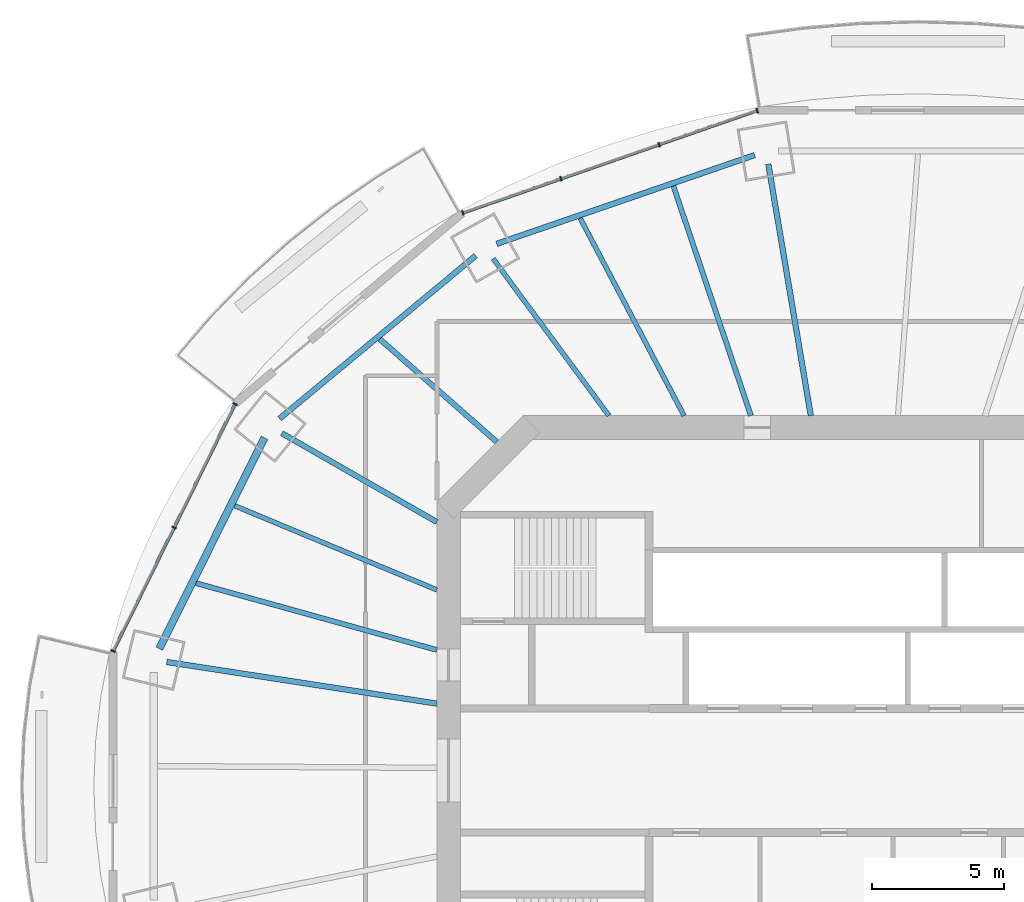
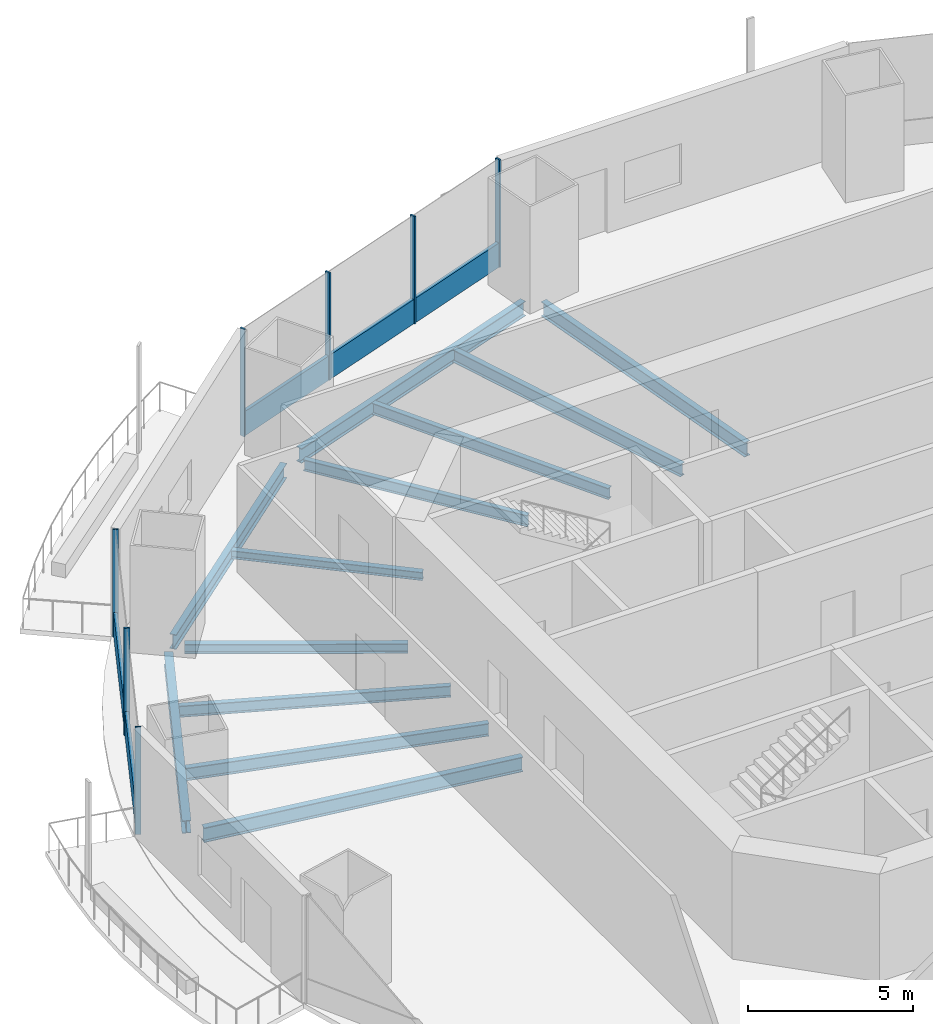
# One storey, part 6 of 20: 12 beams, 9 members, 2 elements without a shape of their own.
"""IFC4 building model written with IfcOpenShell, lengths in metres."""

from ifc_helpers import new_model, si_unit, direction, frame, origin, origin_2d, place, context, subcontext, project, spatial, rectangle, i_section, extrude, material, material_profile, profile_set, type_object, element, aggregate, save


model = new_model("IFC4")

# Units and contexts
model_context = context("Model", 3, precision=1e-05, world=origin(), true_north=direction((0.0, 1.0)))
body_context = subcontext(model_context, "Body", "Model", "MODEL_VIEW")
ifc_project = project(units=[si_unit("LENGTHUNIT", "METRE"), si_unit("AREAUNIT", "SQUARE_METRE"), si_unit("VOLUMEUNIT", "CUBIC_METRE"), si_unit("PLANEANGLEUNIT", "RADIAN"), si_unit("MASSUNIT", "GRAM", prefix="KILO")], contexts=[model_context])

# Site, building, storey
site_placement = place(None, origin())
site = spatial("IfcSite", under=ifc_project, at=site_placement, CompositionType="ELEMENT")
building_placement = place(site_placement, origin())
building = spatial("IfcBuilding", under=site, at=building_placement, Name="Marenthal Gate Tower", CompositionType="ELEMENT")
storey_placement = place(building_placement, frame((0.0, 0.0, 219.14990234375)))
storey = spatial("IfcBuildingStorey", under=building, at=storey_placement, Name="L48", CompositionType="ELEMENT", Elevation=219.14990234375)

# Curtain wall, members
ifc_material_1 = material(Name="Aluminium and glass", Category="aluminium")
curtain_wall_type = type_object("IfcCurtainWallType", Name="Curtain wall typical mid", PredefinedType="NOTDEFINED", material=ifc_material_1)
curtain_wall_1_placement = place(storey_placement, origin())
curtain_wall_1 = element("IfcCurtainWall", 1, at=curtain_wall_1_placement, inside=storey, type_object=curtain_wall_type, Name="Curtain wall L48 bay 5", PredefinedType="NOTDEFINED")
ifc_material_2 = material(Name="Aluminium", Category="aluminium")
ifc_material_profile_1 = material_profile(ifc_material_2, rectangle(XDim=0.179931640625, YDim=0.06005859375, at=origin_2d()), Name="60x180 aluminium mullion")
ifc_profile_set_1 = profile_set([ifc_material_profile_1], Name="Aluminium")
member_type_1 = type_object("IfcMemberType", Name="Mullion 60x180 typical mid", PredefinedType="MULLION", material=ifc_profile_set_1)
member_1_placement = place(storey_placement, frame((-4.301513671875, 25.01806640625, 0.0), z_axis=(0.0, 0.0, 1.0), x_axis=(0.328400483847, -0.944538576348, 0.0)))
member_1 = element("IfcMember", 2, at=member_1_placement, type_object=member_type_1, Name="Mullion L48 bay 5.1", PredefinedType="MULLION", context=body_context, shape_type="SweptSolid", body=[
    extrude(rectangle(XDim=0.179931640625, YDim=0.06005859375, at=origin_2d()), origin(), (0.0, 0.0, 1.0), 3.97021484375),
])
member_2_placement = place(storey_placement, frame((-8.023193359375, 23.72412109375, 0.0), z_axis=(0.0, 0.0, 1.0), x_axis=(0.328400483847, -0.944538576348, 0.0)))
member_2 = element("IfcMember", 3, at=member_2_placement, type_object=member_type_1, Name="Mullion L48 bay 5.2", PredefinedType="MULLION", context=body_context, shape_type="SweptSolid", body=[
    extrude(rectangle(XDim=0.179931640625, YDim=0.06005859375, at=origin_2d()), origin(), (0.0, 0.0, 1.0), 3.97021484375),
])
member_3_placement = place(storey_placement, frame((-11.744873046875, 22.43017578125, 0.0), z_axis=(0.0, 0.0, 1.0), x_axis=(0.328400483847, -0.944538576348, 0.0)))
member_3 = element("IfcMember", 4, at=member_3_placement, type_object=member_type_1, Name="Mullion L48 bay 5.3", PredefinedType="MULLION", context=body_context, shape_type="SweptSolid", body=[
    extrude(rectangle(XDim=0.179931640625, YDim=0.06005859375, at=origin_2d()), origin(), (0.0, 0.0, 1.0), 3.97021484375),
])
member_4_placement = place(storey_placement, frame((-15.466552734375, 21.13623046875, 0.0), z_axis=(0.0, 0.0, 1.0), x_axis=(0.328400483847, -0.944538576348, 0.0)))
member_4 = element("IfcMember", 5, at=member_4_placement, type_object=member_type_1, Name="Mullion L48 bay 5.4", PredefinedType="MULLION", context=body_context, shape_type="SweptSolid", body=[
    extrude(rectangle(XDim=0.179931640625, YDim=0.06005859375, at=origin_2d()), origin(), (0.0, 0.0, 1.0), 3.97021484375),
])

curtain_wall_2_placement = place(storey_placement, origin())
curtain_wall_2 = element("IfcCurtainWall", 6, at=curtain_wall_2_placement, inside=storey, type_object=curtain_wall_type, Name="Curtain wall L48 bay 7", PredefinedType="NOTDEFINED")
member_5_placement = place(storey_placement, frame((-24.096923828125, 13.89013671875, 0.0), z_axis=(0.0, 0.0, 1.0), x_axis=(0.896756924648, -0.442523466153, 0.0)))
member_5 = element("IfcMember", 7, at=member_5_placement, type_object=member_type_1, Name="Mullion L48 bay 7.1", PredefinedType="MULLION", context=body_context, shape_type="SweptSolid", body=[
    extrude(rectangle(XDim=0.179931640625, YDim=0.06005859375, at=origin_2d()), origin(), (0.0, 0.0, 1.0), 3.97021484375),
])
member_6_placement = place(storey_placement, frame((-26.40771484375, 9.20751953125, 0.0), z_axis=(0.0, 0.0, 1.0), x_axis=(0.896756924648, -0.442523466153, 0.0)))
member_6 = element("IfcMember", 8, at=member_6_placement, type_object=member_type_1, Name="Mullion L48 bay 7.2", PredefinedType="MULLION", context=body_context, shape_type="SweptSolid", body=[
    extrude(rectangle(XDim=0.179931640625, YDim=0.06005859375, at=origin_2d()), origin(), (0.0, 0.0, 1.0), 3.97021484375),
])
member_7_placement = place(storey_placement, frame((-28.718505859375, 4.524658203125, 0.0), z_axis=(0.0, 0.0, 1.0), x_axis=(0.896756924648, -0.442523466153, 0.0)))
member_7 = element("IfcMember", 9, at=member_7_placement, type_object=member_type_1, Name="Mullion L48 bay 7.3", PredefinedType="MULLION", context=body_context, shape_type="SweptSolid", body=[
    extrude(rectangle(XDim=0.179931640625, YDim=0.06005859375, at=origin_2d()), origin(), (0.0, 0.0, 1.0), 3.97021484375),
])

# Member
ifc_material_3 = material(Name="Aluminium", Category="aluminium")
ifc_material_profile_2 = material_profile(ifc_material_3, rectangle(XDim=0.1201171875, YDim=0.89990234375, at=origin_2d()), Name="120x900 aluminium transom")
ifc_profile_set_2 = profile_set([ifc_material_profile_2], Name="Aluminium")
member_type_2 = type_object("IfcMemberType", Name="Transom 120x900 typical mid", PredefinedType="USERDEFINED", material=ifc_profile_set_2)
member_8_placement = place(storey_placement, frame((-4.329833984375, 25.00830078125, 0.4501953125), z_axis=(-0.944535997597, -0.328407900703, 0.0), x_axis=(0.328407900703, -0.944535997597, 0.0)))
member_8 = element("IfcMember", 10, at=member_8_placement, type_object=member_type_2, Name="Transom L48 bay 5", ObjectType="TRANSOM", PredefinedType="USERDEFINED", context=body_context, shape_type="SweptSolid", body=[
    extrude(rectangle(XDim=0.1201171875, YDim=0.89990234375, at=origin_2d()), origin(), (0.0, 0.0, 1.0), 11.7607421875),
])

aggregate(curtain_wall_1, [member_1, member_2, member_3, member_4, member_8])

member_9_placement = place(storey_placement, frame((-24.110107421875, 13.86328125, 0.4501953125), z_axis=(-0.442533403339, -0.896752020867, 0.0), x_axis=(0.896752020867, -0.442533403339, 0.0)))
member_9 = element("IfcMember", 11, at=member_9_placement, type_object=member_type_2, Name="Transom L48 bay 7", ObjectType="TRANSOM", PredefinedType="USERDEFINED", context=body_context, shape_type="SweptSolid", body=[
    extrude(rectangle(XDim=0.1201171875, YDim=0.89990234375, at=origin_2d()), origin(), (0.0, 0.0, 1.0), 10.3837890625),
])

aggregate(curtain_wall_2, [member_5, member_6, member_7, member_9])

# Beams
ifc_material_4 = material(Name="Steel S355", Category="steel")
ifc_material_profile_3 = material_profile(ifc_material_4, i_section(OverallWidth=0.202880859375, OverallDepth=0.302001953125, WebThickness=0.007568359375, FlangeThickness=0.01318359375, FilletRadius=0.0126953125, at=origin_2d()), Name="W310X60")
ifc_profile_set_3 = profile_set([ifc_material_profile_3], Name="Steel S355")
beam_type_1 = type_object("IfcBeamType", Name="W310X60 beam", PredefinedType="BEAM", material=ifc_profile_set_3)
beam_1_placement = place(storey_placement, frame((-18.61279296875, 16.35498046875, -0.330810546875), z_axis=(0.751209637029, -0.660063694832, 0.0), x_axis=(0.660063694832, 0.751209637029, 0.0)))
element("IfcBeam", 12, at=beam_1_placement, inside=storey, type_object=beam_type_1, Name="BM-L48-25", PredefinedType="BEAM", context=body_context, shape_type="SweptSolid", body=[
    extrude(i_section(OverallWidth=0.202880859375, OverallDepth=0.302001953125, WebThickness=0.007568359375, FlangeThickness=0.01318359375, FilletRadius=0.0126953125, at=origin_2d()), origin(), (0.0, 0.0, 1.0), 5.903564453125),
])
ifc_material_5 = material(Name="Steel S355", Category="steel")
ifc_material_profile_4 = material_profile(ifc_material_5, i_section(OverallWidth=0.205078125, OverallDepth=0.35302734375, WebThickness=0.009521484375, FlangeThickness=0.016845703125, FilletRadius=0.014892578125, at=origin_2d()), Name="W360X79")
ifc_profile_set_4 = profile_set([ifc_material_profile_4], Name="Steel S355")
beam_type_2 = type_object("IfcBeamType", Name="W360X79 beam", PredefinedType="BEAM", material=ifc_profile_set_4)
beam_2_placement = place(storey_placement, frame((-22.3251953125, 12.78466796875, -0.3564453125), z_axis=(0.867783421329, -0.496942585886, 0.0), x_axis=(0.496942585886, 0.867783421329, 0.0)))
element("IfcBeam", 13, at=beam_2_placement, inside=storey, type_object=beam_type_2, Name="BM-L48-07", PredefinedType="BEAM", context=body_context, shape_type="SweptSolid", body=[
    extrude(i_section(OverallWidth=0.205078125, OverallDepth=0.35302734375, WebThickness=0.009521484375, FlangeThickness=0.016845703125, FilletRadius=0.014892578125, at=origin_2d()), origin(), (0.0, 0.0, 1.0), 6.7705078125),
])
ifc_material_6 = material(Name="Steel S355", Category="steel")
ifc_material_profile_5 = material_profile(ifc_material_6, i_section(OverallWidth=0.180908203125, OverallDepth=0.4169921875, WebThickness=0.010986328125, FlangeThickness=0.018310546875, FilletRadius=0.01025390625, at=origin_2d()), Name="W410X85")
ifc_profile_set_5 = profile_set([ifc_material_profile_5], Name="Steel S355")
beam_type_3 = type_object("IfcBeamType", Name="W410X85 beam", PredefinedType="BEAM", material=ifc_profile_set_5)
beam_3_placement = place(storey_placement, frame((-14.315185546875, 19.403564453125, -0.388427734375), z_axis=(0.593655954995, -0.804718961563, 0.0), x_axis=(0.804718961563, 0.593655954995, 0.0)))
element("IfcBeam", 14, at=beam_3_placement, inside=storey, type_object=beam_type_3, Name="BM-L48-06", PredefinedType="BEAM", context=body_context, shape_type="SweptSolid", body=[
    extrude(i_section(OverallWidth=0.180908203125, OverallDepth=0.4169921875, WebThickness=0.010986328125, FlangeThickness=0.018310546875, FilletRadius=0.01025390625, at=origin_2d()), origin(), (0.0, 0.0, 1.0), 7.3984375),
])
beam_4_placement = place(storey_placement, frame((-11.016357421875, 20.939697265625, -0.388427734375), z_axis=(0.46558115767, -0.885005189602, 0.0), x_axis=(0.885005189602, 0.46558115767, 0.0)))
element("IfcBeam", 15, at=beam_4_placement, inside=storey, type_object=beam_type_3, Name="BM-L48-24", PredefinedType="BEAM", context=body_context, shape_type="SweptSolid", body=[
    extrude(i_section(OverallWidth=0.180908203125, OverallDepth=0.4169921875, WebThickness=0.010986328125, FlangeThickness=0.018310546875, FilletRadius=0.01025390625, at=origin_2d()), origin(), (0.0, 0.0, 1.0), 8.462890625),
])
beam_5_placement = place(storey_placement, frame((-24.111572265625, 10.03564453125, -0.388427734375), z_axis=(0.923221340897, -0.384268598394, 0.0), x_axis=(0.384268598394, 0.923221340897, 0.0)))
element("IfcBeam", 16, at=beam_5_placement, inside=storey, type_object=beam_type_3, Name="BM-L48-26", PredefinedType="BEAM", context=body_context, shape_type="SweptSolid", body=[
    extrude(i_section(OverallWidth=0.180908203125, OverallDepth=0.4169921875, WebThickness=0.010986328125, FlangeThickness=0.018310546875, FilletRadius=0.01025390625, at=origin_2d()), origin(), (0.0, 0.0, 1.0), 8.298828125),
])
ifc_material_7 = material(Name="Steel S355", Category="steel")
ifc_material_profile_6 = material_profile(ifc_material_7, i_section(OverallWidth=0.279052734375, OverallDepth=0.4619140625, WebThickness=0.0107421875, FlangeThickness=0.017333984375, FilletRadius=0.010009765625, at=origin_2d()), Name="W460X113")
ifc_profile_set_6 = profile_set([ifc_material_profile_6], Name="Steel S355")
beam_type_4 = type_object("IfcBeamType", Name="W460X113 beam", PredefinedType="BEAM", material=ifc_profile_set_6)
beam_6_placement = place(storey_placement, frame((-22.980712890625, 12.616455078125, -0.410888671875), z_axis=(-0.44619754622, -0.894934494668, 0.0), x_axis=(0.894934494668, -0.44619754622, 0.0)))
element("IfcBeam", 17, at=beam_6_placement, inside=storey, type_object=beam_type_4, Name="BM-L48-47", PredefinedType="BEAM", context=body_context, shape_type="SweptSolid", body=[
    extrude(i_section(OverallWidth=0.279052734375, OverallDepth=0.4619140625, WebThickness=0.0107421875, FlangeThickness=0.017333984375, FilletRadius=0.010009765625, at=origin_2d()), origin(), (0.0, 0.0, 1.0), 8.941162109375),
])
ifc_material_8 = material(Name="Steel S355", Category="steel")
ifc_material_profile_7 = material_profile(ifc_material_8, i_section(OverallWidth=0.193115234375, OverallDepth=0.467041015625, WebThickness=0.011474609375, FlangeThickness=0.01904296875, FilletRadius=0.010009765625, at=origin_2d()), Name="W460X97")
ifc_profile_set_7 = profile_set([ifc_material_profile_7], Name="Steel S355")
beam_type_5 = type_object("IfcBeamType", Name="W460X97 beam", PredefinedType="BEAM", material=ifc_profile_set_7)
beam_7_placement = place(storey_placement, frame((-7.481689453125, 22.156005859375, -0.413330078125), z_axis=(0.319915789706, -0.947445981308, 0.0), x_axis=(0.947445981308, 0.319915789706, 0.0)))
element("IfcBeam", 18, at=beam_7_placement, inside=storey, type_object=beam_type_5, Name="BM-L48-23", PredefinedType="BEAM", context=body_context, shape_type="SweptSolid", body=[
    extrude(i_section(OverallWidth=0.193115234375, OverallDepth=0.467041015625, WebThickness=0.011474609375, FlangeThickness=0.01904296875, FilletRadius=0.010009765625, at=origin_2d()), origin(), (0.0, 0.0, 1.0), 9.18896484375),
])
beam_8_placement = place(storey_placement, frame((-25.574462890625, 7.101318359375, -0.413330078125), z_axis=(0.963542283164, -0.267556103566, 0.0), x_axis=(0.267556103566, 0.963542283164, 0.0)))
element("IfcBeam", 19, at=beam_8_placement, inside=storey, type_object=beam_type_5, Name="BM-L48-27", PredefinedType="BEAM", context=body_context, shape_type="SweptSolid", body=[
    extrude(i_section(OverallWidth=0.193115234375, OverallDepth=0.467041015625, WebThickness=0.011474609375, FlangeThickness=0.01904296875, FilletRadius=0.010009765625, at=origin_2d()), origin(), (0.0, 0.0, 1.0), 9.4697265625),
])
ifc_material_9 = material(Name="Steel S355", Category="steel")
ifc_material_profile_8 = material_profile(ifc_material_9, i_section(OverallWidth=0.2099609375, OverallDepth=0.535888671875, WebThickness=0.010986328125, FlangeThickness=0.017333984375, FilletRadius=0.0126953125, at=origin_2d()), Name="W530X101")
ifc_profile_set_8 = profile_set([ifc_material_profile_8], Name="Steel S355")
beam_type_6 = type_object("IfcBeamType", Name="W530X101 beam", PredefinedType="BEAM", material=ifc_profile_set_8)
beam_9_placement = place(storey_placement, frame((-3.881591796875, 22.9853515625, -0.447998046875), z_axis=(0.166498827313, -0.986041652519, 0.0), x_axis=(0.986041652519, 0.166498827313, 0.0)))
element("IfcBeam", 20, at=beam_9_placement, inside=storey, type_object=beam_type_6, Name="BM-L48-05", PredefinedType="BEAM", context=body_context, shape_type="SweptSolid", body=[
    extrude(i_section(OverallWidth=0.2099609375, OverallDepth=0.535888671875, WebThickness=0.010986328125, FlangeThickness=0.017333984375, FilletRadius=0.0126953125, at=origin_2d()), origin(), (0.0, 0.0, 1.0), 9.67041015625),
])
ifc_material_10 = material(Name="Steel S355", Category="steel")
ifc_material_profile_9 = material_profile(ifc_material_10, i_section(OverallWidth=0.2119140625, OverallDepth=0.5439453125, WebThickness=0.01318359375, FlangeThickness=0.021240234375, FilletRadius=0.0126953125, at=origin_2d()), Name="W530X123")
ifc_profile_set_9 = profile_set([ifc_material_profile_9], Name="Steel S355")
beam_type_7 = type_object("IfcBeamType", Name="W530X123 beam", PredefinedType="BEAM", material=ifc_profile_set_9)
beam_10_placement = place(storey_placement, frame((-26.684814453125, 4.11279296875, -0.451904296875), z_axis=(0.988331052625, -0.152321142384, 0.0), x_axis=(0.152321142384, 0.988331052625, 0.0)))
element("IfcBeam", 21, at=beam_10_placement, inside=storey, type_object=beam_type_7, Name="BM-L48-08", PredefinedType="BEAM", context=body_context, shape_type="SweptSolid", body=[
    extrude(i_section(OverallWidth=0.2119140625, OverallDepth=0.5439453125, WebThickness=0.01318359375, FlangeThickness=0.021240234375, FilletRadius=0.0126953125, at=origin_2d()), origin(), (0.0, 0.0, 1.0), 10.355712890625),
])
beam_11_placement = place(storey_placement, frame((-4.4033203125, 23.327392578125, -0.451904296875), z_axis=(-0.945577858805, -0.325395932578, 0.0), x_axis=(0.325395932578, -0.945577858805, 0.0)))
element("IfcBeam", 22, at=beam_11_placement, inside=storey, type_object=beam_type_7, Name="BM-L48-45", PredefinedType="BEAM", context=body_context, shape_type="SweptSolid", body=[
    extrude(i_section(OverallWidth=0.2119140625, OverallDepth=0.5439453125, WebThickness=0.01318359375, FlangeThickness=0.021240234375, FilletRadius=0.0126953125, at=origin_2d()), origin(), (0.0, 0.0, 1.0), 10.336669921875),
])
beam_12_placement = place(storey_placement, frame((-14.97607421875, 19.514404296875, -0.451904296875), z_axis=(-0.76917508894, -0.639038091629, 0.0), x_axis=(0.639038091629, -0.76917508894, 0.0)))
element("IfcBeam", 23, at=beam_12_placement, inside=storey, type_object=beam_type_7, Name="BM-L48-46", PredefinedType="BEAM", context=body_context, shape_type="SweptSolid", body=[
    extrude(i_section(OverallWidth=0.2119140625, OverallDepth=0.5439453125, WebThickness=0.01318359375, FlangeThickness=0.021240234375, FilletRadius=0.0126953125, at=origin_2d()), origin(), (0.0, 0.0, 1.0), 9.663330078125),
])

save(model, "model.ifc")
